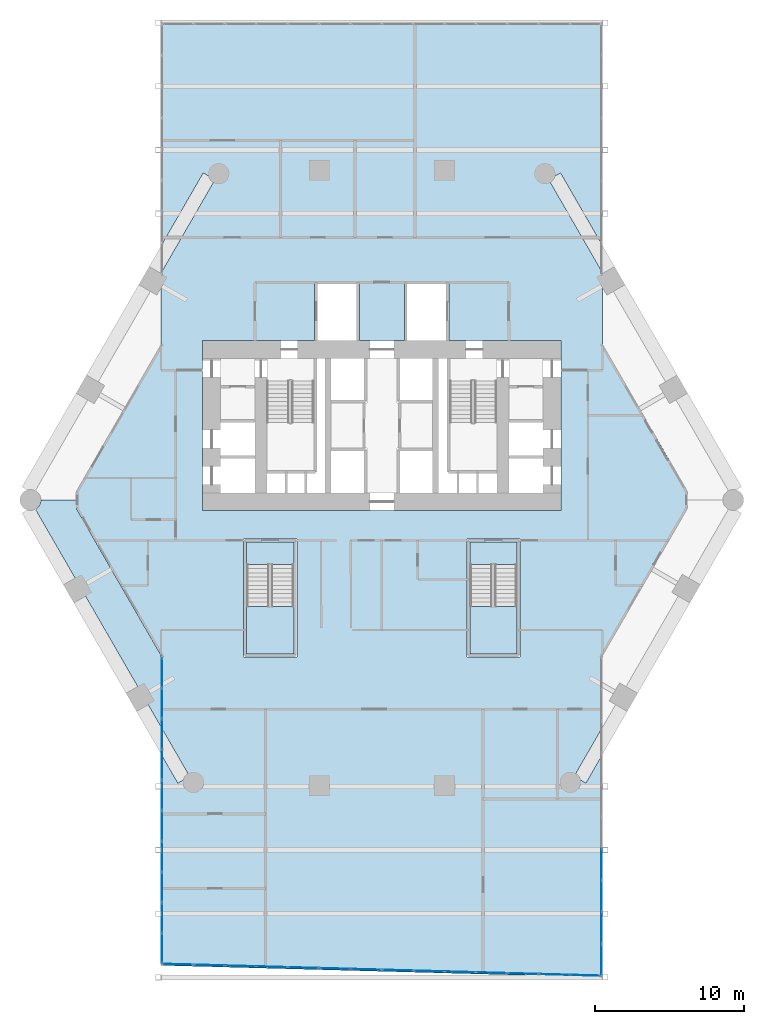
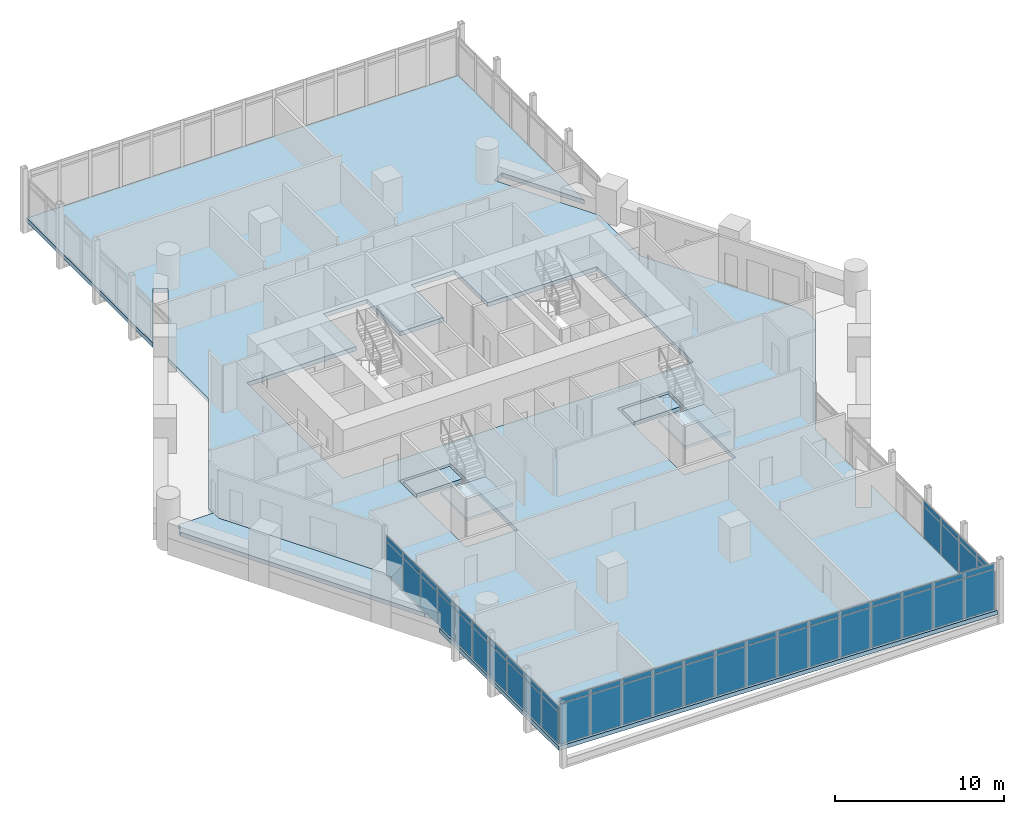
# One storey, part 20 of 28: 56 plates, 6 slabs, 5 elements without a shape of their own.
"""IFC4 building model written with IfcOpenShell, lengths in metres."""

from ifc_helpers import new_model, si_unit, direction, frame, origin, origin_2d, place, context, subcontext, project, spatial, polyline, rectangle, outline, extrude, material, layer, layer_set, type_object, element, aggregate, save


model = new_model("IFC4")

# Units and contexts
model_context = context("Model", 3, precision=1e-05, world=origin(), true_north=direction((0.0, 1.0)))
body_context = subcontext(model_context, "Body", "Model", "MODEL_VIEW")
ifc_project = project(units=[si_unit("LENGTHUNIT", "METRE"), si_unit("AREAUNIT", "SQUARE_METRE"), si_unit("VOLUMEUNIT", "CUBIC_METRE"), si_unit("PLANEANGLEUNIT", "RADIAN"), si_unit("MASSUNIT", "GRAM", prefix="KILO")], contexts=[model_context])

# Site, building, storey
site_placement = place(None, origin())
site = spatial("IfcSite", under=ifc_project, at=site_placement, CompositionType="ELEMENT")
building_placement = place(site_placement, origin())
building = spatial("IfcBuilding", under=site, at=building_placement, Name="Ostrander Bayou Hotel Tower", CompositionType="ELEMENT")
storey_placement = place(building_placement, frame((0.0, 0.0, 76.75)))
storey = spatial("IfcBuildingStorey", under=building, at=storey_placement, Name="L19", CompositionType="ELEMENT", Elevation=76.75)

# Curtain wall, plates
ifc_material_1 = material(Name="Aluminium and clear glass", Category="aluminium")
curtain_wall_type = type_object("IfcCurtainWallType", Name="CW-BAR glazed wall", PredefinedType="NOTDEFINED", material=ifc_material_1)
curtain_wall_1_placement = place(storey_placement, origin())
curtain_wall_1 = element("IfcCurtainWall", 1, at=curtain_wall_1_placement, inside=storey, type_object=curtain_wall_type, Name="CW-BAR L19:SB1S:E", PredefinedType="NOTDEFINED")
ifc_material_2 = material(Name="Clear laminated glass", Category="glass")
ifc_layer_1 = layer(ifc_material_2, 0.028076171875)
ifc_layer_set_1 = layer_set([ifc_layer_1], Name="CW-BR glazing panel 28 mm")
plate_type = type_object("IfcPlateType", Name="CW-BR glazing panel 28 mm", PredefinedType="CURTAIN_PANEL", material=ifc_layer_set_1)
plate_1_placement = place(storey_placement, frame((-14.712158203125, -12.559326171875, 0.06005859375), z_axis=(0.0, 0.0, 1.0), x_axis=(0.0, -1.0, 0.0)))
plate_1 = element("IfcPlate", 2, at=plate_1_placement, type_object=plate_type, Name="CW-BAR panel 1.1", PredefinedType="CURTAIN_PANEL", context=body_context, shape_type="SweptSolid", body=[
    extrude(rectangle(XDim=1.96337890625, YDim=0.028076171875, at=origin_2d()), origin(), (0.0, 0.0, 1.0), 2.31005859375),
])
plate_2_placement = place(storey_placement, frame((-14.712158203125, -12.559326171875, 2.43017578125), z_axis=(0.0, 0.0, 1.0), x_axis=(0.0, -1.0, 0.0)))
plate_2 = element("IfcPlate", 3, at=plate_2_placement, type_object=plate_type, Name="CW-BAR panel 1.2", PredefinedType="CURTAIN_PANEL", context=body_context, shape_type="SweptSolid", body=[
    extrude(rectangle(XDim=1.96337890625, YDim=0.028076171875, at=origin_2d()), origin(), (0.0, 0.0, 1.0), 0.360107421875),
])
plate_3_placement = place(storey_placement, frame((-14.712158203125, -14.597900390625, 0.06005859375), z_axis=(0.0, 0.0, 1.0), x_axis=(0.0, -1.0, 0.0)))
plate_3 = element("IfcPlate", 4, at=plate_3_placement, type_object=plate_type, Name="CW-BAR panel 2.1", PredefinedType="CURTAIN_PANEL", context=body_context, shape_type="SweptSolid", body=[
    extrude(rectangle(XDim=1.993408203125, YDim=0.028076171875, at=origin_2d()), origin(), (0.0, 0.0, 1.0), 2.31005859375),
])
plate_4_placement = place(storey_placement, frame((-14.712158203125, -14.597900390625, 2.43017578125), z_axis=(0.0, 0.0, 1.0), x_axis=(0.0, -1.0, 0.0)))
plate_4 = element("IfcPlate", 5, at=plate_4_placement, type_object=plate_type, Name="CW-BAR panel 2.2", PredefinedType="CURTAIN_PANEL", context=body_context, shape_type="SweptSolid", body=[
    extrude(rectangle(XDim=1.993408203125, YDim=0.028076171875, at=origin_2d()), origin(), (0.0, 0.0, 1.0), 0.360107421875),
])
plate_5_placement = place(storey_placement, frame((-14.712158203125, -16.6513671875, 0.06005859375), z_axis=(0.0, 0.0, 1.0), x_axis=(0.0, -1.0, 0.0)))
plate_5 = element("IfcPlate", 6, at=plate_5_placement, type_object=plate_type, Name="CW-BAR panel 3.1", PredefinedType="CURTAIN_PANEL", context=body_context, shape_type="SweptSolid", body=[
    extrude(rectangle(XDim=1.993408203125, YDim=0.028076171875, at=origin_2d()), origin(), (0.0, 0.0, 1.0), 2.31005859375),
])
plate_6_placement = place(storey_placement, frame((-14.712158203125, -16.6513671875, 2.43017578125), z_axis=(0.0, 0.0, 1.0), x_axis=(0.0, -1.0, 0.0)))
plate_6 = element("IfcPlate", 7, at=plate_6_placement, type_object=plate_type, Name="CW-BAR panel 3.2", PredefinedType="CURTAIN_PANEL", context=body_context, shape_type="SweptSolid", body=[
    extrude(rectangle(XDim=1.993408203125, YDim=0.028076171875, at=origin_2d()), origin(), (0.0, 0.0, 1.0), 0.360107421875),
])
plate_7_placement = place(storey_placement, frame((-14.712158203125, -18.70458984375, 0.06005859375), z_axis=(0.0, 0.0, 1.0), x_axis=(0.0, -1.0, 0.0)))
plate_7 = element("IfcPlate", 8, at=plate_7_placement, type_object=plate_type, Name="CW-BAR panel 4.1", PredefinedType="CURTAIN_PANEL", context=body_context, shape_type="SweptSolid", body=[
    extrude(rectangle(XDim=1.993408203125, YDim=0.028076171875, at=origin_2d()), origin(), (0.0, 0.0, 1.0), 2.31005859375),
])
plate_8_placement = place(storey_placement, frame((-14.712158203125, -18.70458984375, 2.43017578125), z_axis=(0.0, 0.0, 1.0), x_axis=(0.0, -1.0, 0.0)))
plate_8 = element("IfcPlate", 9, at=plate_8_placement, type_object=plate_type, Name="CW-BAR panel 4.2", PredefinedType="CURTAIN_PANEL", context=body_context, shape_type="SweptSolid", body=[
    extrude(rectangle(XDim=1.993408203125, YDim=0.028076171875, at=origin_2d()), origin(), (0.0, 0.0, 1.0), 0.360107421875),
])
plate_9_placement = place(storey_placement, frame((-14.712158203125, -20.758056640625, 0.06005859375), z_axis=(0.0, 0.0, 1.0), x_axis=(0.0, -1.0, 0.0)))
plate_9 = element("IfcPlate", 10, at=plate_9_placement, type_object=plate_type, Name="CW-BAR panel 5.1", PredefinedType="CURTAIN_PANEL", context=body_context, shape_type="SweptSolid", body=[
    extrude(rectangle(XDim=1.993408203125, YDim=0.028076171875, at=origin_2d()), origin(), (0.0, 0.0, 1.0), 2.31005859375),
])
plate_10_placement = place(storey_placement, frame((-14.712158203125, -20.758056640625, 2.43017578125), z_axis=(0.0, 0.0, 1.0), x_axis=(0.0, -1.0, 0.0)))
plate_10 = element("IfcPlate", 11, at=plate_10_placement, type_object=plate_type, Name="CW-BAR panel 5.2", PredefinedType="CURTAIN_PANEL", context=body_context, shape_type="SweptSolid", body=[
    extrude(rectangle(XDim=1.993408203125, YDim=0.028076171875, at=origin_2d()), origin(), (0.0, 0.0, 1.0), 0.360107421875),
])
plate_11_placement = place(storey_placement, frame((-14.712158203125, -22.8115234375, 0.06005859375), z_axis=(0.0, 0.0, 1.0), x_axis=(0.0, -1.0, 0.0)))
plate_11 = element("IfcPlate", 12, at=plate_11_placement, type_object=plate_type, Name="CW-BAR panel 6.1", PredefinedType="CURTAIN_PANEL", context=body_context, shape_type="SweptSolid", body=[
    extrude(rectangle(XDim=1.993408203125, YDim=0.028076171875, at=origin_2d()), origin(), (0.0, 0.0, 1.0), 2.31005859375),
])
plate_12_placement = place(storey_placement, frame((-14.712158203125, -22.8115234375, 2.43017578125), z_axis=(0.0, 0.0, 1.0), x_axis=(0.0, -1.0, 0.0)))
plate_12 = element("IfcPlate", 13, at=plate_12_placement, type_object=plate_type, Name="CW-BAR panel 6.2", PredefinedType="CURTAIN_PANEL", context=body_context, shape_type="SweptSolid", body=[
    extrude(rectangle(XDim=1.993408203125, YDim=0.028076171875, at=origin_2d()), origin(), (0.0, 0.0, 1.0), 0.360107421875),
])
plate_13_placement = place(storey_placement, frame((-14.712158203125, -24.864990234375, 0.06005859375), z_axis=(0.0, 0.0, 1.0), x_axis=(0.0, -1.0, 0.0)))
plate_13 = element("IfcPlate", 14, at=plate_13_placement, type_object=plate_type, Name="CW-BAR panel 7.1", PredefinedType="CURTAIN_PANEL", context=body_context, shape_type="SweptSolid", body=[
    extrude(rectangle(XDim=1.993408203125, YDim=0.028076171875, at=origin_2d()), origin(), (0.0, 0.0, 1.0), 2.31005859375),
])
plate_14_placement = place(storey_placement, frame((-14.712158203125, -24.864990234375, 2.43017578125), z_axis=(0.0, 0.0, 1.0), x_axis=(0.0, -1.0, 0.0)))
plate_14 = element("IfcPlate", 15, at=plate_14_placement, type_object=plate_type, Name="CW-BAR panel 7.2", PredefinedType="CURTAIN_PANEL", context=body_context, shape_type="SweptSolid", body=[
    extrude(rectangle(XDim=1.993408203125, YDim=0.028076171875, at=origin_2d()), origin(), (0.0, 0.0, 1.0), 0.360107421875),
])
plate_15_placement = place(storey_placement, frame((-14.712158203125, -26.91845703125, 0.06005859375), z_axis=(0.0, 0.0, 1.0), x_axis=(0.0, -1.0, 0.0)))
plate_15 = element("IfcPlate", 16, at=plate_15_placement, type_object=plate_type, Name="CW-BAR panel 8.1", PredefinedType="CURTAIN_PANEL", context=body_context, shape_type="SweptSolid", body=[
    extrude(rectangle(XDim=1.993408203125, YDim=0.028076171875, at=origin_2d()), origin(), (0.0, 0.0, 1.0), 2.31005859375),
])
plate_16_placement = place(storey_placement, frame((-14.712158203125, -26.91845703125, 2.43017578125), z_axis=(0.0, 0.0, 1.0), x_axis=(0.0, -1.0, 0.0)))
plate_16 = element("IfcPlate", 17, at=plate_16_placement, type_object=plate_type, Name="CW-BAR panel 8.2", PredefinedType="CURTAIN_PANEL", context=body_context, shape_type="SweptSolid", body=[
    extrude(rectangle(XDim=1.993408203125, YDim=0.028076171875, at=origin_2d()), origin(), (0.0, 0.0, 1.0), 0.360107421875),
])
plate_17_placement = place(storey_placement, frame((-14.712158203125, -28.971923828125, 0.06005859375), z_axis=(0.0, 0.0, 1.0), x_axis=(0.0, -1.0, 0.0)))
plate_17 = element("IfcPlate", 18, at=plate_17_placement, type_object=plate_type, Name="CW-BAR panel 9.1", PredefinedType="CURTAIN_PANEL", context=body_context, shape_type="SweptSolid", body=[
    extrude(rectangle(XDim=1.993408203125, YDim=0.028076171875, at=origin_2d()), origin(), (0.0, 0.0, 1.0), 2.31005859375),
])
plate_18_placement = place(storey_placement, frame((-14.712158203125, -28.971923828125, 2.43017578125), z_axis=(0.0, 0.0, 1.0), x_axis=(0.0, -1.0, 0.0)))
plate_18 = element("IfcPlate", 19, at=plate_18_placement, type_object=plate_type, Name="CW-BAR panel 9.2", PredefinedType="CURTAIN_PANEL", context=body_context, shape_type="SweptSolid", body=[
    extrude(rectangle(XDim=1.993408203125, YDim=0.028076171875, at=origin_2d()), origin(), (0.0, 0.0, 1.0), 0.360107421875),
])
plate_19_placement = place(storey_placement, frame((-14.712158203125, -31.01025390625, 0.06005859375), z_axis=(0.0, 0.0, 1.0), x_axis=(0.0, -1.0, 0.0)))
plate_19 = element("IfcPlate", 20, at=plate_19_placement, type_object=plate_type, Name="CW-BAR panel 10.1", PredefinedType="CURTAIN_PANEL", context=body_context, shape_type="SweptSolid", body=[
    extrude(rectangle(XDim=1.96337890625, YDim=0.028076171875, at=origin_2d()), origin(), (0.0, 0.0, 1.0), 2.31005859375),
])
plate_20_placement = place(storey_placement, frame((-14.712158203125, -31.01025390625, 2.43017578125), z_axis=(0.0, 0.0, 1.0), x_axis=(0.0, -1.0, 0.0)))
plate_20 = element("IfcPlate", 21, at=plate_20_placement, type_object=plate_type, Name="CW-BAR panel 10.2", PredefinedType="CURTAIN_PANEL", context=body_context, shape_type="SweptSolid", body=[
    extrude(rectangle(XDim=1.96337890625, YDim=0.028076171875, at=origin_2d()), origin(), (0.0, 0.0, 1.0), 0.360107421875),
])
aggregate(curtain_wall_1, [plate_1, plate_2, plate_3, plate_4, plate_5, plate_6, plate_7, plate_8, plate_9, plate_10, plate_11, plate_12, plate_13, plate_14, plate_15, plate_16, plate_17, plate_18, plate_19, plate_20])

curtain_wall_2_placement = place(storey_placement, origin())
curtain_wall_2 = element("IfcCurtainWall", 22, at=curtain_wall_2_placement, inside=storey, type_object=curtain_wall_type, Name="CW-BAR L19:SB1S:T", PredefinedType="NOTDEFINED")
plate_21_placement = place(storey_placement, frame((-13.646240234375, -32.080810546875, 0.06005859375), z_axis=(0.0, 0.0, 1.0), x_axis=(0.999634285133, -0.027042484848, 0.0)))
plate_21 = element("IfcPlate", 23, at=plate_21_placement, type_object=plate_type, Name="CW-BAR panel 1.1", PredefinedType="CURTAIN_PANEL", context=body_context, shape_type="SweptSolid", body=[
    extrude(rectangle(XDim=2.012451171875, YDim=0.028076171875, at=origin_2d()), origin(), (0.0, 0.0, 1.0), 2.909912109375),
])
plate_22_placement = place(storey_placement, frame((-13.646240234375, -32.080810546875, 3.02978515625), z_axis=(0.0, 0.0, 1.0), x_axis=(0.999634285133, -0.027042484848, 0.0)))
plate_22 = element("IfcPlate", 24, at=plate_22_placement, type_object=plate_type, Name="CW-BAR panel 1.2", PredefinedType="CURTAIN_PANEL", context=body_context, shape_type="SweptSolid", body=[
    extrude(rectangle(XDim=2.012451171875, YDim=0.028076171875, at=origin_2d()), origin(), (0.0, 0.0, 1.0), 0.360107421875),
])
plate_23_placement = place(storey_placement, frame((-11.5595703125, -32.13720703125, 0.06005859375), z_axis=(0.0, 0.0, 1.0), x_axis=(0.999634285133, -0.027042484848, 0.0)))
plate_23 = element("IfcPlate", 25, at=plate_23_placement, type_object=plate_type, Name="CW-BAR panel 2.1", PredefinedType="CURTAIN_PANEL", context=body_context, shape_type="SweptSolid", body=[
    extrude(rectangle(XDim=2.04248046875, YDim=0.028076171875, at=origin_2d()), origin(), (0.0, 0.0, 1.0), 2.909912109375),
])
plate_24_placement = place(storey_placement, frame((-11.5595703125, -32.13720703125, 3.02978515625), z_axis=(0.0, 0.0, 1.0), x_axis=(0.999634285133, -0.027042484848, 0.0)))
plate_24 = element("IfcPlate", 26, at=plate_24_placement, type_object=plate_type, Name="CW-BAR panel 2.2", PredefinedType="CURTAIN_PANEL", context=body_context, shape_type="SweptSolid", body=[
    extrude(rectangle(XDim=2.04248046875, YDim=0.028076171875, at=origin_2d()), origin(), (0.0, 0.0, 1.0), 0.360107421875),
])
plate_25_placement = place(storey_placement, frame((-9.457763671875, -32.194091796875, 0.06005859375), z_axis=(0.0, 0.0, 1.0), x_axis=(0.999634285133, -0.027042484848, 0.0)))
plate_25 = element("IfcPlate", 27, at=plate_25_placement, type_object=plate_type, Name="CW-BAR panel 3.1", PredefinedType="CURTAIN_PANEL", context=body_context, shape_type="SweptSolid", body=[
    extrude(rectangle(XDim=2.04248046875, YDim=0.028076171875, at=origin_2d()), origin(), (0.0, 0.0, 1.0), 2.909912109375),
])
plate_26_placement = place(storey_placement, frame((-9.457763671875, -32.194091796875, 3.02978515625), z_axis=(0.0, 0.0, 1.0), x_axis=(0.999634285133, -0.027042484848, 0.0)))
plate_26 = element("IfcPlate", 28, at=plate_26_placement, type_object=plate_type, Name="CW-BAR panel 3.2", PredefinedType="CURTAIN_PANEL", context=body_context, shape_type="SweptSolid", body=[
    extrude(rectangle(XDim=2.04248046875, YDim=0.028076171875, at=origin_2d()), origin(), (0.0, 0.0, 1.0), 0.360107421875),
])
plate_27_placement = place(storey_placement, frame((-7.356201171875, -32.2509765625, 0.06005859375), z_axis=(0.0, 0.0, 1.0), x_axis=(0.999634285133, -0.027042484848, 0.0)))
plate_27 = element("IfcPlate", 29, at=plate_27_placement, type_object=plate_type, Name="CW-BAR panel 4.1", PredefinedType="CURTAIN_PANEL", context=body_context, shape_type="SweptSolid", body=[
    extrude(rectangle(XDim=2.04248046875, YDim=0.028076171875, at=origin_2d()), origin(), (0.0, 0.0, 1.0), 2.909912109375),
])
plate_28_placement = place(storey_placement, frame((-7.356201171875, -32.2509765625, 3.02978515625), z_axis=(0.0, 0.0, 1.0), x_axis=(0.999634285133, -0.027042484848, 0.0)))
plate_28 = element("IfcPlate", 30, at=plate_28_placement, type_object=plate_type, Name="CW-BAR panel 4.2", PredefinedType="CURTAIN_PANEL", context=body_context, shape_type="SweptSolid", body=[
    extrude(rectangle(XDim=2.04248046875, YDim=0.028076171875, at=origin_2d()), origin(), (0.0, 0.0, 1.0), 0.360107421875),
])
plate_29_placement = place(storey_placement, frame((-5.25439453125, -32.307861328125, 0.06005859375), z_axis=(0.0, 0.0, 1.0), x_axis=(0.999634285133, -0.027042484848, 0.0)))
plate_29 = element("IfcPlate", 31, at=plate_29_placement, type_object=plate_type, Name="CW-BAR panel 5.1", PredefinedType="CURTAIN_PANEL", context=body_context, shape_type="SweptSolid", body=[
    extrude(rectangle(XDim=2.04248046875, YDim=0.028076171875, at=origin_2d()), origin(), (0.0, 0.0, 1.0), 2.909912109375),
])
plate_30_placement = place(storey_placement, frame((-5.25439453125, -32.307861328125, 3.02978515625), z_axis=(0.0, 0.0, 1.0), x_axis=(0.999634285133, -0.027042484848, 0.0)))
plate_30 = element("IfcPlate", 32, at=plate_30_placement, type_object=plate_type, Name="CW-BAR panel 5.2", PredefinedType="CURTAIN_PANEL", context=body_context, shape_type="SweptSolid", body=[
    extrude(rectangle(XDim=2.04248046875, YDim=0.028076171875, at=origin_2d()), origin(), (0.0, 0.0, 1.0), 0.360107421875),
])
plate_31_placement = place(storey_placement, frame((-3.152587890625, -32.36474609375, 0.06005859375), z_axis=(0.0, 0.0, 1.0), x_axis=(0.999634285133, -0.027042484848, 0.0)))
plate_31 = element("IfcPlate", 33, at=plate_31_placement, type_object=plate_type, Name="CW-BAR panel 6.1", PredefinedType="CURTAIN_PANEL", context=body_context, shape_type="SweptSolid", body=[
    extrude(rectangle(XDim=2.04248046875, YDim=0.028076171875, at=origin_2d()), origin(), (0.0, 0.0, 1.0), 2.909912109375),
])
plate_32_placement = place(storey_placement, frame((-3.152587890625, -32.36474609375, 3.02978515625), z_axis=(0.0, 0.0, 1.0), x_axis=(0.999634285133, -0.027042484848, 0.0)))
plate_32 = element("IfcPlate", 34, at=plate_32_placement, type_object=plate_type, Name="CW-BAR panel 6.2", PredefinedType="CURTAIN_PANEL", context=body_context, shape_type="SweptSolid", body=[
    extrude(rectangle(XDim=2.04248046875, YDim=0.028076171875, at=origin_2d()), origin(), (0.0, 0.0, 1.0), 0.360107421875),
])
plate_33_placement = place(storey_placement, frame((-1.05078125, -32.421630859375, 0.06005859375), z_axis=(0.0, 0.0, 1.0), x_axis=(0.999634285133, -0.027042484848, 0.0)))
plate_33 = element("IfcPlate", 35, at=plate_33_placement, type_object=plate_type, Name="CW-BAR panel 7.1", PredefinedType="CURTAIN_PANEL", context=body_context, shape_type="SweptSolid", body=[
    extrude(rectangle(XDim=2.04248046875, YDim=0.028076171875, at=origin_2d()), origin(), (0.0, 0.0, 1.0), 2.909912109375),
])
plate_34_placement = place(storey_placement, frame((-1.05078125, -32.421630859375, 3.02978515625), z_axis=(0.0, 0.0, 1.0), x_axis=(0.999634285133, -0.027042484848, 0.0)))
plate_34 = element("IfcPlate", 36, at=plate_34_placement, type_object=plate_type, Name="CW-BAR panel 7.2", PredefinedType="CURTAIN_PANEL", context=body_context, shape_type="SweptSolid", body=[
    extrude(rectangle(XDim=2.04248046875, YDim=0.028076171875, at=origin_2d()), origin(), (0.0, 0.0, 1.0), 0.360107421875),
])
plate_35_placement = place(storey_placement, frame((1.05078125, -32.478515625, 0.06005859375), z_axis=(0.0, 0.0, 1.0), x_axis=(0.999634285133, -0.027042484848, 0.0)))
plate_35 = element("IfcPlate", 37, at=plate_35_placement, type_object=plate_type, Name="CW-BAR panel 8.1", PredefinedType="CURTAIN_PANEL", context=body_context, shape_type="SweptSolid", body=[
    extrude(rectangle(XDim=2.04248046875, YDim=0.028076171875, at=origin_2d()), origin(), (0.0, 0.0, 1.0), 2.909912109375),
])
plate_36_placement = place(storey_placement, frame((1.05078125, -32.478515625, 3.02978515625), z_axis=(0.0, 0.0, 1.0), x_axis=(0.999634285133, -0.027042484848, 0.0)))
plate_36 = element("IfcPlate", 38, at=plate_36_placement, type_object=plate_type, Name="CW-BAR panel 8.2", PredefinedType="CURTAIN_PANEL", context=body_context, shape_type="SweptSolid", body=[
    extrude(rectangle(XDim=2.04248046875, YDim=0.028076171875, at=origin_2d()), origin(), (0.0, 0.0, 1.0), 0.360107421875),
])
plate_37_placement = place(storey_placement, frame((3.152587890625, -32.535400390625, 0.06005859375), z_axis=(0.0, 0.0, 1.0), x_axis=(0.999634285133, -0.027042484848, 0.0)))
plate_37 = element("IfcPlate", 39, at=plate_37_placement, type_object=plate_type, Name="CW-BAR panel 9.1", PredefinedType="CURTAIN_PANEL", context=body_context, shape_type="SweptSolid", body=[
    extrude(rectangle(XDim=2.04248046875, YDim=0.028076171875, at=origin_2d()), origin(), (0.0, 0.0, 1.0), 2.909912109375),
])
plate_38_placement = place(storey_placement, frame((3.152587890625, -32.535400390625, 3.02978515625), z_axis=(0.0, 0.0, 1.0), x_axis=(0.999634285133, -0.027042484848, 0.0)))
plate_38 = element("IfcPlate", 40, at=plate_38_placement, type_object=plate_type, Name="CW-BAR panel 9.2", PredefinedType="CURTAIN_PANEL", context=body_context, shape_type="SweptSolid", body=[
    extrude(rectangle(XDim=2.04248046875, YDim=0.028076171875, at=origin_2d()), origin(), (0.0, 0.0, 1.0), 0.360107421875),
])
plate_39_placement = place(storey_placement, frame((5.25439453125, -32.592041015625, 0.06005859375), z_axis=(0.0, 0.0, 1.0), x_axis=(0.999634285133, -0.027042484848, 0.0)))
plate_39 = element("IfcPlate", 41, at=plate_39_placement, type_object=plate_type, Name="CW-BAR panel 10.1", PredefinedType="CURTAIN_PANEL", context=body_context, shape_type="SweptSolid", body=[
    extrude(rectangle(XDim=2.04248046875, YDim=0.028076171875, at=origin_2d()), origin(), (0.0, 0.0, 1.0), 2.909912109375),
])
plate_40_placement = place(storey_placement, frame((5.25439453125, -32.592041015625, 3.02978515625), z_axis=(0.0, 0.0, 1.0), x_axis=(0.999634285133, -0.027042484848, 0.0)))
plate_40 = element("IfcPlate", 42, at=plate_40_placement, type_object=plate_type, Name="CW-BAR panel 10.2", PredefinedType="CURTAIN_PANEL", context=body_context, shape_type="SweptSolid", body=[
    extrude(rectangle(XDim=2.04248046875, YDim=0.028076171875, at=origin_2d()), origin(), (0.0, 0.0, 1.0), 0.360107421875),
])
plate_41_placement = place(storey_placement, frame((7.356201171875, -32.64892578125, 0.06005859375), z_axis=(0.0, 0.0, 1.0), x_axis=(0.999634285133, -0.027042484848, 0.0)))
plate_41 = element("IfcPlate", 43, at=plate_41_placement, type_object=plate_type, Name="CW-BAR panel 11.1", PredefinedType="CURTAIN_PANEL", context=body_context, shape_type="SweptSolid", body=[
    extrude(rectangle(XDim=2.04248046875, YDim=0.028076171875, at=origin_2d()), origin(), (0.0, 0.0, 1.0), 2.909912109375),
])
plate_42_placement = place(storey_placement, frame((7.356201171875, -32.64892578125, 3.02978515625), z_axis=(0.0, 0.0, 1.0), x_axis=(0.999634285133, -0.027042484848, 0.0)))
plate_42 = element("IfcPlate", 44, at=plate_42_placement, type_object=plate_type, Name="CW-BAR panel 11.2", PredefinedType="CURTAIN_PANEL", context=body_context, shape_type="SweptSolid", body=[
    extrude(rectangle(XDim=2.04248046875, YDim=0.028076171875, at=origin_2d()), origin(), (0.0, 0.0, 1.0), 0.360107421875),
])
plate_43_placement = place(storey_placement, frame((9.457763671875, -32.705810546875, 0.06005859375), z_axis=(0.0, 0.0, 1.0), x_axis=(0.999634285133, -0.027042484848, 0.0)))
plate_43 = element("IfcPlate", 45, at=plate_43_placement, type_object=plate_type, Name="CW-BAR panel 12.1", PredefinedType="CURTAIN_PANEL", context=body_context, shape_type="SweptSolid", body=[
    extrude(rectangle(XDim=2.04248046875, YDim=0.028076171875, at=origin_2d()), origin(), (0.0, 0.0, 1.0), 2.909912109375),
])
plate_44_placement = place(storey_placement, frame((9.457763671875, -32.705810546875, 3.02978515625), z_axis=(0.0, 0.0, 1.0), x_axis=(0.999634285133, -0.027042484848, 0.0)))
plate_44 = element("IfcPlate", 46, at=plate_44_placement, type_object=plate_type, Name="CW-BAR panel 12.2", PredefinedType="CURTAIN_PANEL", context=body_context, shape_type="SweptSolid", body=[
    extrude(rectangle(XDim=2.04248046875, YDim=0.028076171875, at=origin_2d()), origin(), (0.0, 0.0, 1.0), 0.360107421875),
])
plate_45_placement = place(storey_placement, frame((11.5595703125, -32.7626953125, 0.06005859375), z_axis=(0.0, 0.0, 1.0), x_axis=(0.999634285133, -0.027042484848, 0.0)))
plate_45 = element("IfcPlate", 47, at=plate_45_placement, type_object=plate_type, Name="CW-BAR panel 13.1", PredefinedType="CURTAIN_PANEL", context=body_context, shape_type="SweptSolid", body=[
    extrude(rectangle(XDim=2.04248046875, YDim=0.028076171875, at=origin_2d()), origin(), (0.0, 0.0, 1.0), 2.909912109375),
])
plate_46_placement = place(storey_placement, frame((11.5595703125, -32.7626953125, 3.02978515625), z_axis=(0.0, 0.0, 1.0), x_axis=(0.999634285133, -0.027042484848, 0.0)))
plate_46 = element("IfcPlate", 48, at=plate_46_placement, type_object=plate_type, Name="CW-BAR panel 13.2", PredefinedType="CURTAIN_PANEL", context=body_context, shape_type="SweptSolid", body=[
    extrude(rectangle(XDim=2.04248046875, YDim=0.028076171875, at=origin_2d()), origin(), (0.0, 0.0, 1.0), 0.360107421875),
])
plate_47_placement = place(storey_placement, frame((13.646240234375, -32.819091796875, 0.06005859375), z_axis=(0.0, 0.0, 1.0), x_axis=(0.999634285133, -0.027042484848, 0.0)))
plate_47 = element("IfcPlate", 49, at=plate_47_placement, type_object=plate_type, Name="CW-BAR panel 14.1", PredefinedType="CURTAIN_PANEL", context=body_context, shape_type="SweptSolid", body=[
    extrude(rectangle(XDim=2.012451171875, YDim=0.028076171875, at=origin_2d()), origin(), (0.0, 0.0, 1.0), 2.909912109375),
])
plate_48_placement = place(storey_placement, frame((13.646240234375, -32.819091796875, 3.02978515625), z_axis=(0.0, 0.0, 1.0), x_axis=(0.999634285133, -0.027042484848, 0.0)))
plate_48 = element("IfcPlate", 50, at=plate_48_placement, type_object=plate_type, Name="CW-BAR panel 14.2", PredefinedType="CURTAIN_PANEL", context=body_context, shape_type="SweptSolid", body=[
    extrude(rectangle(XDim=2.012451171875, YDim=0.028076171875, at=origin_2d()), origin(), (0.0, 0.0, 1.0), 0.360107421875),
])
aggregate(curtain_wall_2, [plate_21, plate_22, plate_23, plate_24, plate_25, plate_26, plate_27, plate_28, plate_29, plate_30, plate_31, plate_32, plate_33, plate_34, plate_35, plate_36, plate_37, plate_38, plate_39, plate_40, plate_41, plate_42, plate_43, plate_44, plate_45, plate_46, plate_47, plate_48])

curtain_wall_3_placement = place(storey_placement, origin())
curtain_wall_3 = element("IfcCurtainWall", 51, at=curtain_wall_3_placement, inside=storey, type_object=curtain_wall_type, Name="CW-BAR L19:SB1S:W", PredefinedType="NOTDEFINED")
plate_49_placement = place(storey_placement, frame((14.712158203125, -25.38232421875, 0.06005859375), z_axis=(0.0, 0.0, 1.0), x_axis=(0.0, -1.0, 0.0)))
plate_49 = element("IfcPlate", 52, at=plate_49_placement, type_object=plate_type, Name="CW-BAR panel 7.1", PredefinedType="CURTAIN_PANEL", context=body_context, shape_type="SweptSolid", body=[
    extrude(rectangle(XDim=2.072998046875, YDim=0.028076171875, at=origin_2d()), origin(), (0.0, 0.0, 1.0), 2.31005859375),
])
plate_50_placement = place(storey_placement, frame((14.712158203125, -25.38232421875, 2.43017578125), z_axis=(0.0, 0.0, 1.0), x_axis=(0.0, -1.0, 0.0)))
plate_50 = element("IfcPlate", 53, at=plate_50_placement, type_object=plate_type, Name="CW-BAR panel 7.2", PredefinedType="CURTAIN_PANEL", context=body_context, shape_type="SweptSolid", body=[
    extrude(rectangle(XDim=2.072998046875, YDim=0.028076171875, at=origin_2d()), origin(), (0.0, 0.0, 1.0), 0.360107421875),
])
plate_51_placement = place(storey_placement, frame((14.712158203125, -27.515380859375, 0.06005859375), z_axis=(0.0, 0.0, 1.0), x_axis=(0.0, -1.0, 0.0)))
plate_51 = element("IfcPlate", 54, at=plate_51_placement, type_object=plate_type, Name="CW-BAR panel 8.1", PredefinedType="CURTAIN_PANEL", context=body_context, shape_type="SweptSolid", body=[
    extrude(rectangle(XDim=2.072998046875, YDim=0.028076171875, at=origin_2d()), origin(), (0.0, 0.0, 1.0), 2.31005859375),
])
plate_52_placement = place(storey_placement, frame((14.712158203125, -27.515380859375, 2.43017578125), z_axis=(0.0, 0.0, 1.0), x_axis=(0.0, -1.0, 0.0)))
plate_52 = element("IfcPlate", 55, at=plate_52_placement, type_object=plate_type, Name="CW-BAR panel 8.2", PredefinedType="CURTAIN_PANEL", context=body_context, shape_type="SweptSolid", body=[
    extrude(rectangle(XDim=2.072998046875, YDim=0.028076171875, at=origin_2d()), origin(), (0.0, 0.0, 1.0), 0.360107421875),
])
plate_53_placement = place(storey_placement, frame((14.712158203125, -29.6484375, 0.06005859375), z_axis=(0.0, 0.0, 1.0), x_axis=(0.0, -1.0, 0.0)))
plate_53 = element("IfcPlate", 56, at=plate_53_placement, type_object=plate_type, Name="CW-BAR panel 9.1", PredefinedType="CURTAIN_PANEL", context=body_context, shape_type="SweptSolid", body=[
    extrude(rectangle(XDim=2.072998046875, YDim=0.028076171875, at=origin_2d()), origin(), (0.0, 0.0, 1.0), 2.31005859375),
])
plate_54_placement = place(storey_placement, frame((14.712158203125, -29.6484375, 2.43017578125), z_axis=(0.0, 0.0, 1.0), x_axis=(0.0, -1.0, 0.0)))
plate_54 = element("IfcPlate", 57, at=plate_54_placement, type_object=plate_type, Name="CW-BAR panel 9.2", PredefinedType="CURTAIN_PANEL", context=body_context, shape_type="SweptSolid", body=[
    extrude(rectangle(XDim=2.072998046875, YDim=0.028076171875, at=origin_2d()), origin(), (0.0, 0.0, 1.0), 0.360107421875),
])
plate_55_placement = place(storey_placement, frame((14.712158203125, -31.7666015625, 0.06005859375), z_axis=(0.0, 0.0, 1.0), x_axis=(0.0, -1.0, 0.0)))
plate_55 = element("IfcPlate", 58, at=plate_55_placement, type_object=plate_type, Name="CW-BAR panel 10.1", PredefinedType="CURTAIN_PANEL", context=body_context, shape_type="SweptSolid", body=[
    extrude(rectangle(XDim=2.04296875, YDim=0.028076171875, at=origin_2d()), origin(), (0.0, 0.0, 1.0), 2.31005859375),
])
plate_56_placement = place(storey_placement, frame((14.712158203125, -31.7666015625, 2.43017578125), z_axis=(0.0, 0.0, 1.0), x_axis=(0.0, -1.0, 0.0)))
plate_56 = element("IfcPlate", 59, at=plate_56_placement, type_object=plate_type, Name="CW-BAR panel 10.2", PredefinedType="CURTAIN_PANEL", context=body_context, shape_type="SweptSolid", body=[
    extrude(rectangle(XDim=2.04296875, YDim=0.028076171875, at=origin_2d()), origin(), (0.0, 0.0, 1.0), 0.360107421875),
])
aggregate(curtain_wall_3, [plate_49, plate_50, plate_51, plate_52, plate_53, plate_54, plate_55, plate_56])

# Slabs
ifc_material_3 = material(Name="Concrete f'c 40 MPa", Category="concrete")
ifc_layer_2 = layer(ifc_material_3, 0.300048828125)
ifc_layer_set_2 = layer_set([ifc_layer_2], Name="SL1 floor slab 300 mm f'c 40 MPa")
slab_type_1 = type_object("IfcSlabType", Name="SL1 floor slab 300 mm f'c 40 MPa", PredefinedType="FLOOR", material=ifc_layer_set_2)
slab_1_placement = place(storey_placement, frame((0.0, 0.0, -0.300048828125)))
element("IfcSlab", 60, at=slab_1_placement, inside=storey, type_object=slab_type_1, Name="SL1 L19 1", PredefinedType="FLOOR", context=body_context, shape_type="SweptSolid", body=[
    extrude(outline(polyline([(-13.661865234375, -19.93701171875), (-12.88232421875, -19.487060546875), (-14.787109375, -16.187744140625), (-14.787109375, -11.3876953125), (-20.448486328125, -1.581787109375), (-20.448486328125, -0.3818359375), (-14.787109375, 9.424072265625), (-14.787109375, 14.22412109375), (-11.181640625, 20.468994140625), (-11.961181640625, 20.9189453125), (-14.787109375, 16.02392578125), (-14.787109375, 30.986083984375), (14.787109375, 30.986083984375), (14.787109375, 16.02392578125), (11.961181640625, 20.9189453125), (11.181640625, 20.468994140625), (14.787109375, 14.22412109375), (14.787109375, 9.424072265625), (20.448486328125, -0.3818359375), (20.448486328125, -1.581787109375), (14.787109375, -11.3876953125), (14.787109375, -16.187744140625), (12.88232421875, -19.487060546875), (13.661865234375, -19.93701171875), (14.787109375, -17.98779296875), (14.787109375, -32.949951171875), (-14.787109375, -32.14990234375), (-14.787109375, -17.98779296875), (-13.661865234375, -19.93701171875)]), holes=[polyline([(-12.0, -1.699951171875), (12.0, -1.699951171875), (12.0, 9.699951171875), (4.5, 9.699951171875), (4.5, 13.60009765625), (1.5, 13.60009765625), (1.5, 9.699951171875), (-1.5, 9.699951171875), (-1.5, 13.60009765625), (-4.5, 13.60009765625), (-4.5, 9.699951171875), (-12.0, 9.699951171875), (-12.0, -1.699951171875)]), polyline([(9.25, -3.60009765625), (5.699951171875, -3.60009765625), (5.699951171875, -11.5), (9.25, -11.5), (9.25, -3.60009765625)]), polyline([(-5.699951171875, -3.60009765625), (-9.25, -3.60009765625), (-9.25, -11.5), (-5.699951171875, -11.5), (-5.699951171875, -3.60009765625)])]), origin(), (0.0, 0.0, 1.0), 0.300048828125),
])
slab_2_placement = place(storey_placement, frame((0.0, 0.0, -0.300048828125)))
element("IfcSlab", 61, at=slab_2_placement, inside=storey, type_object=slab_type_1, Name="cslab:L19:006", PredefinedType="FLOOR", context=body_context, shape_type="SweptSolid", body=[
    extrude(outline(polyline([(9.050048828125, -5.300048828125), (9.050048828125, -3.800048828125), (5.89990234375, -3.800048828125), (5.89990234375, -5.300048828125), (9.050048828125, -5.300048828125)])), origin(), (0.0, 0.0, 1.0), 0.300048828125),
])
slab_3_placement = place(storey_placement, frame((0.0, 0.0, -0.300048828125)))
element("IfcSlab", 62, at=slab_3_placement, inside=storey, type_object=slab_type_1, Name="cslab:L19:007", PredefinedType="FLOOR", context=body_context, shape_type="SweptSolid", body=[
    extrude(outline(polyline([(-5.89990234375, -5.300048828125), (-5.89990234375, -3.800048828125), (-9.050048828125, -3.800048828125), (-9.050048828125, -5.300048828125), (-5.89990234375, -5.300048828125)])), origin(), (0.0, 0.0, 1.0), 0.300048828125),
])
ifc_material_4 = material(Name="Concrete f'c 40 MPa", Category="concrete")
ifc_layer_3 = layer(ifc_material_4, 0.300048828125)
ifc_layer_set_3 = layer_set([ifc_layer_3], Name="SL4 loggia slab 300 mm f'c 40 MPa")
slab_type_2 = type_object("IfcSlabType", Name="SL4 loggia slab 300 mm f'c 40 MPa", PredefinedType="FLOOR", material=ifc_layer_set_3)
slab_4_placement = place(storey_placement, frame((0.0, 0.0, -0.300048828125)))
element("IfcSlab", 63, at=slab_4_placement, inside=storey, type_object=slab_type_2, Name="SL4 LOGGIA L19 SW 1", PredefinedType="FLOOR", context=body_context, shape_type="SweptSolid", body=[
    extrude(outline(polyline([(-14.787109375, -16.187744140625), (-17.81591796875, -10.942138671875), (-19.862548828125, -7.39697265625), (-23.13330078125, -1.73193359375), (-23.13330078125, -1.553955078125), (-23.039306640625, -1.476806640625), (-22.952392578125, -1.370849609375), (-22.8876953125, -1.249755859375), (-22.84765625, -1.118408203125), (-22.834228515625, -0.98193359375), (-20.448486328125, -0.98193359375), (-20.448486328125, -1.581787109375), (-14.787109375, -11.3876953125), (-14.787109375, -16.187744140625)])), origin(), (0.0, 0.0, 1.0), 0.300048828125),
])

# Stair, slab
ifc_material_5 = material(Name="Concrete f'c 45 MPa", Category="concrete")
stair_type = type_object("IfcStairType", Name="ST1 exit stair 1500 mm f'c 45 MPa", PredefinedType="HALF_TURN_STAIR", material=ifc_material_5)
stair_1_placement = place(storey_placement, origin())
stair_1 = element("IfcStair", 64, at=stair_1_placement, inside=storey, type_object=stair_type, Name="L19 exit stair C", PredefinedType="HALF_TURN_STAIR")
ifc_material_6 = material(Name="Concrete f'c 45 MPa", Category="concrete")
ifc_layer_4 = layer(ifc_material_6, 0.199951171875)
ifc_layer_set_4 = layer_set([ifc_layer_4], Name="SL8 stair landing 200 mm f'c 45 MPa")
slab_type_3 = type_object("IfcSlabType", Name="SL8 stair landing 200 mm f'c 45 MPa", PredefinedType="LANDING", material=ifc_layer_set_4)
slab_5_placement = place(storey_placement, frame((0.0, 0.0, 1.675048828125)))
slab_5 = element("IfcSlab", 65, at=slab_5_placement, type_object=slab_type_3, Name="STC landing 1", PredefinedType="LANDING", context=body_context, shape_type="SweptSolid", body=[
    extrude(outline(polyline([(5.89990234375, -8.10009765625), (5.89990234375, -11.300048828125), (9.050048828125, -11.300048828125), (9.050048828125, -8.10009765625), (5.89990234375, -8.10009765625)])), origin(), (0.0, 0.0, 1.0), 0.199951171875),
])
aggregate(stair_1, [slab_5])

stair_2_placement = place(storey_placement, origin())
stair_2 = element("IfcStair", 66, at=stair_2_placement, inside=storey, type_object=stair_type, Name="L19 exit stair D", PredefinedType="HALF_TURN_STAIR")
slab_6_placement = place(storey_placement, frame((0.0, 0.0, 1.675048828125)))
slab_6 = element("IfcSlab", 67, at=slab_6_placement, type_object=slab_type_3, Name="STD landing 1", PredefinedType="LANDING", context=body_context, shape_type="SweptSolid", body=[
    extrude(outline(polyline([(-9.050048828125, -8.10009765625), (-9.050048828125, -11.300048828125), (-5.89990234375, -11.300048828125), (-5.89990234375, -8.10009765625), (-9.050048828125, -8.10009765625)])), origin(), (0.0, 0.0, 1.0), 0.199951171875),
])
aggregate(stair_2, [slab_6])

save(model, "model.ifc")
